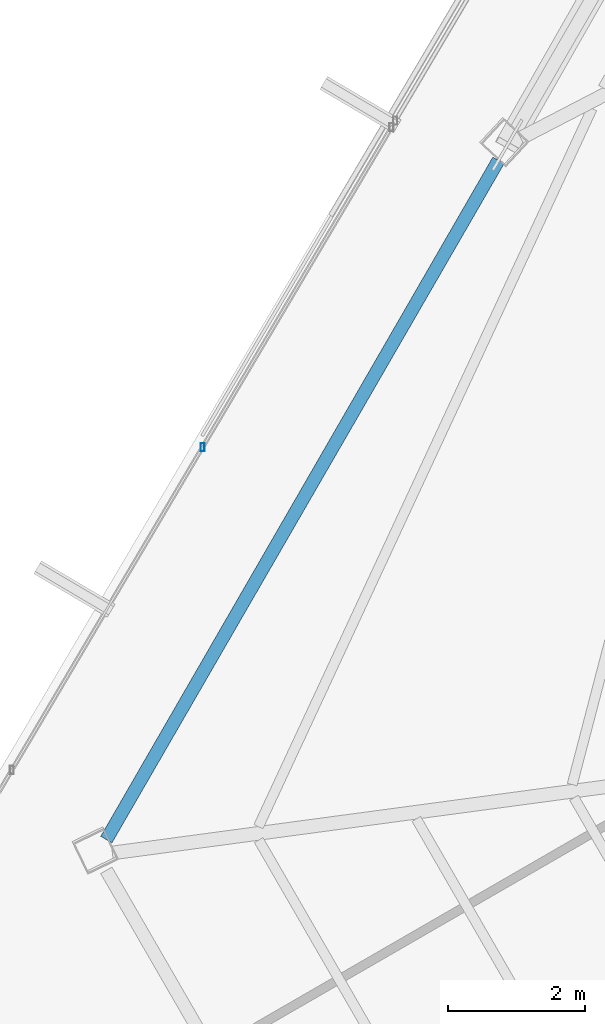
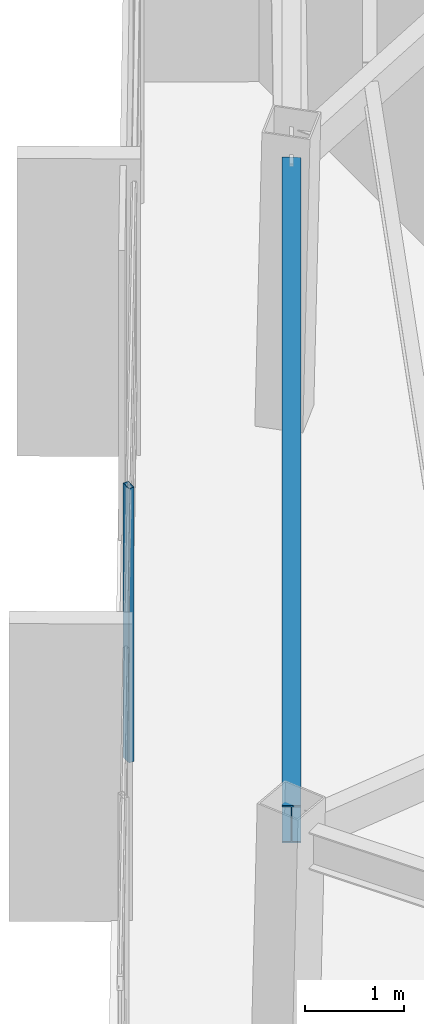
# One storey, part 9 of 45: 1 beam, 1 member, 1 element without a shape of its own.
"""IFC4 building model written with IfcOpenShell, lengths in metres."""

import ifcopenshell
import ifcopenshell.guid

model = None  # the IFC model being written
_history = None  # IfcOwnerHistory: only IFC2X3 demands one
_inside = {}  # id of a spatial element -> (the spatial element, [elements in it])
_under = {}  # id of a project, library or spatial element -> (it, [spatial elements below it])
_declared = {}  # id of a project -> (the project, [libraries it declares])
_typed = {}  # id of a type object -> (the type object, [elements of that type])
_made_of = {}  # id of a material, layer set ... -> (it, [elements and type objects made of it])


def new_model(schema):
    """Start an empty IFC model of exactly this schema.

    Asked for "IFC4X3", IfcOpenShell would pick the latest addendum, in which some entities
    have other attributes; the version numbers below select the first issue.
    IFC2X3 requires an IfcOwnerHistory on every rooted entity: one is made here for all.
    """
    global model, _history
    if schema == "IFC4X3":
        model = ifcopenshell.file(schema_version=(4, 3, 0, 0))
    else:
        model = ifcopenshell.file(schema=schema)
    _inside.clear()
    _under.clear()
    _declared.clear()
    _typed.clear()
    _made_of.clear()
    _history = None
    if model.schema == "IFC2X3":
        org = make("IfcOrganization", Name="unknown")
        user = make(
            "IfcPersonAndOrganization",
            ThePerson=make("IfcPerson", FamilyName="unknown"),
            TheOrganization=org,
        )
        app = make(
            "IfcApplication",
            ApplicationDeveloper=org,
            Version="unknown",
            ApplicationFullName="unknown",
            ApplicationIdentifier="unknown",
        )
        _history = make(
            "IfcOwnerHistory",
            OwningUser=user,
            OwningApplication=app,
            ChangeAction="ADDED",
            CreationDate=0,
        )
    return model


def make(cls, **values):
    """One entity of the class cls with the attributes given. An attribute that is None is left unset."""
    return model.create_entity(
        cls, **{name: value for name, value in values.items() if value is not None}
    )


def rooted(cls, **values):
    """An entity with a GlobalId (a new one), such as an element, a storey or a relation."""
    return make(cls, GlobalId=ifcopenshell.guid.new(), OwnerHistory=_history, **values)


def si_unit(unit_type, name, prefix=None):
    """IfcSIUnit, for example si_unit("LENGTHUNIT", "METRE", prefix="MILLI")."""
    return make("IfcSIUnit", UnitType=unit_type, Prefix=prefix, Name=name)


def assignment(units):
    """IfcUnitAssignment: the units of a project."""
    return None if units is None else make("IfcUnitAssignment", Units=units)


def point(xyz):
    """IfcCartesianPoint."""
    return None if xyz is None else make("IfcCartesianPoint", Coordinates=xyz)


def direction(xyz):
    """IfcDirection."""
    return None if xyz is None else make("IfcDirection", DirectionRatios=xyz)


def frame(location, z_axis=None, x_axis=None):
    """IfcAxis2Placement3D, a coordinate frame: its origin and axes. An axis left out is left unset."""
    return make(
        "IfcAxis2Placement3D",
        Location=point(location),
        Axis=direction(z_axis),
        RefDirection=direction(x_axis),
    )


def frame_2d(location, x_axis=None):
    """IfcAxis2Placement2D, a coordinate frame in the plane: its origin and x axis."""
    return make(
        "IfcAxis2Placement2D", Location=point(location), RefDirection=direction(x_axis)
    )


def origin():
    """The frame at (0, 0, 0) with its axes left unset."""
    return frame((0.0, 0.0, 0.0))


def origin_2d():
    """The frame at (0, 0) in the plane with its x axis left unset."""
    return frame_2d((0.0, 0.0))


def place(relative_to, where):
    """IfcLocalPlacement: puts the frame where relative to a parent placement (None: the world)."""
    return make(
        "IfcLocalPlacement", PlacementRelTo=relative_to, RelativePlacement=where
    )


def context(
    kind, dimensions, precision=None, world=None, true_north=None, identifier=None
):
    """IfcGeometricRepresentationContext, for example the 3D "Model" context."""
    return make(
        "IfcGeometricRepresentationContext",
        ContextIdentifier=identifier,
        ContextType=kind,
        CoordinateSpaceDimension=dimensions,
        Precision=precision,
        WorldCoordinateSystem=world,
        TrueNorth=true_north,
    )


def subcontext(parent, identifier, kind, view, scale=None):
    """IfcGeometricRepresentationSubContext, for example "Body" below "Model"."""
    return make(
        "IfcGeometricRepresentationSubContext",
        ContextIdentifier=identifier,
        ContextType=kind,
        ParentContext=parent,
        TargetScale=scale,
        TargetView=view,
    )


def project(units=None, contexts=None):
    """IfcProject with its units and contexts."""
    return rooted(
        "IfcProject",
        Name="project",
        RepresentationContexts=contexts,
        UnitsInContext=assignment(units),
    )


def spatial(cls, under=None, at=None, **own):
    """A site, building, storey or space (cls), placed at a placement, below another one or the project."""
    s = rooted(cls, ObjectPlacement=at, **own)
    if under is not None:
        _under.setdefault(under.id(), (under, []))[1].append(s)
    return s


def profile(cls, at=None, kind="AREA", **sizes):
    """A parametric profile (cls). Its sizes go by their IFC names, for example OverallWidth=200.0."""
    return make(cls, ProfileType=kind, Position=at, **sizes)


def hollow_rectangle(**sizes):
    """IfcRectangleHollowProfileDef."""
    return profile("IfcRectangleHollowProfileDef", **sizes)


def i_section(**sizes):
    """IfcIShapeProfileDef."""
    return profile("IfcIShapeProfileDef", **sizes)


def extrude(swept, where, along, depth):
    """IfcExtrudedAreaSolid: the profile swept, set in the frame where, extruded along a direction by depth."""
    return make(
        "IfcExtrudedAreaSolid",
        SweptArea=swept,
        Position=where,
        ExtrudedDirection=direction(along),
        Depth=depth,
    )


def shape(context_of_items, identifier, shape_type, items):
    """IfcShapeRepresentation: the items that make up one representation, for example the "Body"."""
    return make(
        "IfcShapeRepresentation",
        ContextOfItems=context_of_items,
        RepresentationIdentifier=identifier,
        RepresentationType=shape_type,
        Items=items,
    )


def source(mapping_origin, context_of_items, identifier, shape_type, items):
    """IfcRepresentationMap: a shape defined once, which mapped items show again and again."""
    return make(
        "IfcRepresentationMap",
        MappingOrigin=mapping_origin,
        MappedRepresentation=shape(context_of_items, identifier, shape_type, items),
    )


def transform(
    local_origin,
    x_axis=None,
    y_axis=None,
    z_axis=None,
    scale=None,
    scale2=None,
    scale3=None,
    uniform=True,
):
    """IfcCartesianTransformationOperator3D, or its non-uniform kind. x_axis, y_axis, z_axis: its Axis1, 2, 3."""
    if uniform:
        return make(
            "IfcCartesianTransformationOperator3D",
            Axis1=direction(x_axis),
            Axis2=direction(y_axis),
            LocalOrigin=point(local_origin),
            Scale=scale,
            Axis3=direction(z_axis),
        )
    return make(
        "IfcCartesianTransformationOperator3DnonUniform",
        Axis1=direction(x_axis),
        Axis2=direction(y_axis),
        LocalOrigin=point(local_origin),
        Scale=scale,
        Axis3=direction(z_axis),
        Scale2=scale2,
        Scale3=scale3,
    )


def mapped(mapping_source, mapping_target):
    """IfcMappedItem: shows the shape of a source again, moved by a transform."""
    return make(
        "IfcMappedItem", MappingSource=mapping_source, MappingTarget=mapping_target
    )


def material(Name=None, Category=None):
    """IfcMaterial."""
    return make("IfcMaterial", Name=Name, Category=Category)


def material_profile(
    of_material, cross_section, Name=None, Category=None, Priority=None
):
    """IfcMaterialProfile: a cross section and its material."""
    return make(
        "IfcMaterialProfile",
        Name=Name,
        Material=of_material,
        Profile=cross_section,
        Priority=Priority,
        Category=Category,
    )


def profile_set(profiles, Name=None, composite=None):
    """IfcMaterialProfileSet."""
    return make(
        "IfcMaterialProfileSet",
        Name=Name,
        MaterialProfiles=profiles,
        CompositeProfile=composite,
    )


def made_of(thing, what):
    """Note that an element or type object is made of a material, layer set ...; save() writes the relation."""
    if what is not None:
        _made_of.setdefault(what.id(), (what, []))[1].append(thing)
    return thing


def type_object(cls, material=None, **own):
    """A type object (cls), such as IfcWallType, which elements share."""
    return made_of(rooted(cls, **own), material)


def type_shapes(of_type, sources):
    """Give a type object the sources (RepresentationMaps) that its elements show as mapped items."""
    of_type.RepresentationMaps = sources


def element(
    cls,
    number,
    at=None,
    inside=None,
    cuts=None,
    type_object=None,
    material=None,
    context=None,
    identifier="Body",
    shape_type=None,
    held_by="IfcProductDefinitionShape",
    body=None,
    shapes=None,
    **own,
):
    """One element of the class cls, such as IfcWall. Its Tag is "e" and its number.

    at: its placement. inside: the storey or other place that contains it. cuts: it is an
    opening in that element (IfcRelVoidsElement). A single representation is given by context,
    identifier, shape_type and body (its items); several are given by shapes. held_by: the class
    of the entity that holds the representations. save() writes the other relations.
    """
    e = rooted(cls, Tag="e%d" % number, ObjectPlacement=at, **own)
    if body is not None:
        shapes = [shape(context, identifier, shape_type, body)]
    if shapes is not None:
        e.Representation = make(held_by, Representations=shapes)
    if inside is not None:
        _inside.setdefault(inside.id(), (inside, []))[1].append(e)
    if cuts is not None:
        rooted(
            "IfcRelVoidsElement", RelatingBuildingElement=cuts, RelatedOpeningElement=e
        )
    if type_object is not None:
        _typed.setdefault(type_object.id(), (type_object, []))[1].append(e)
    return made_of(e, material)


def aggregate(whole, parts):
    """IfcRelAggregates: a whole, such as a stair, and the parts it consists of."""
    return rooted("IfcRelAggregates", RelatingObject=whole, RelatedObjects=parts)


def save(model, path):
    """Write the relations noted so far, then the file.

    IfcRelAggregates (storeys below a building ...), IfcRelContainedInSpatialStructure (elements
    in a storey), IfcRelDefinesByType, IfcRelAssociatesMaterial and IfcRelDeclares: one each for
    every whole, place, type object, material and project.
    """
    for whole, parts in _under.values():
        aggregate(whole, parts)
    for where, things in _inside.values():
        rooted(
            "IfcRelContainedInSpatialStructure",
            RelatedElements=things,
            RelatingStructure=where,
        )
    for kind, things in _typed.values():
        rooted("IfcRelDefinesByType", RelatedObjects=things, RelatingType=kind)
    for what, things in _made_of.values():
        rooted("IfcRelAssociatesMaterial", RelatedObjects=things, RelatingMaterial=what)
    for by, libraries in _declared.values():
        rooted("IfcRelDeclares", RelatingContext=by, RelatedDefinitions=libraries)
    model.write(path)


model = new_model("IFC4")

# Units and contexts
model_context = context("Model", 3, precision=1e-05, world=origin(), true_north=direction((0.0, 1.0)))
body_context = subcontext(model_context, "Body", "Model", "MODEL_VIEW")
ifc_project = project(units=[si_unit("LENGTHUNIT", "METRE"), si_unit("AREAUNIT", "SQUARE_METRE"), si_unit("VOLUMEUNIT", "CUBIC_METRE"), si_unit("PLANEANGLEUNIT", "RADIAN"), si_unit("MASSUNIT", "GRAM", prefix="KILO")], contexts=[model_context])

# Site, building, storey
site_placement = place(None, origin())
site = spatial("IfcSite", under=ifc_project, at=site_placement, CompositionType="ELEMENT")
building_placement = place(site_placement, origin())
building = spatial("IfcBuilding", under=site, at=building_placement, Name="Caelisora Broadcast Tower", CompositionType="ELEMENT")
storey_placement = place(building_placement, frame((0.0, 0.0, 273.64990234375)))
storey = spatial("IfcBuildingStorey", under=building, at=storey_placement, Name="L72", CompositionType="ELEMENT", Elevation=273.64990234375)

# Beam
ifc_material_1 = material(Name="Steel Grade 350 (AS/NZS 3679.1)", Category="steel")
ifc_material_profile_1 = material_profile(ifc_material_1, i_section(OverallWidth=0.19091796875, OverallDepth=0.46044921875, WebThickness=0.010009765625, FlangeThickness=0.01611328125, at=origin_2d()), Name="Steel Grade 350 (AS/NZS 3679.1)")
ifc_profile_set_1 = profile_set([ifc_material_profile_1], Name="Steel Grade 350 (AS/NZS 3679.1)")
beam_type = type_object("IfcBeamType", Name="PG06", PredefinedType="BEAM", material=ifc_profile_set_1)
shared_shape_1 = source(origin(), body_context, "Body", "SweptSolid", [
    extrude(i_section(OverallWidth=0.19091796875, OverallDepth=0.46044921875, WebThickness=0.010009765625, FlangeThickness=0.01611328125, at=origin_2d()), origin(), (0.0, 0.0, 1.0), 11.476806640625),
])
type_shapes(beam_type, [shared_shape_1])
beam_placement = place(storey_placement, frame((22.5263671875, 25.70703125, 3.169921875), z_axis=(-0.500007868499, -0.866020860857, 0.0), x_axis=(0.866020860857, -0.500007868499, 0.0)))
element("IfcBeam", 1, at=beam_placement, inside=storey, type_object=beam_type, Name="L72 beam PG06", PredefinedType="BEAM", context=body_context, shape_type="MappedRepresentation", body=[
    mapped(shared_shape_1, transform((0.0, 0.0, 0.0), scale=1.0)),
])

# Curtain wall, member
ifc_material_2 = material(Name="Unitised Aluminium and Low-E Glass Curtain Wall", Category="glass")
curtain_wall_type = type_object("IfcCurtainWallType", Name="CW-Z5", PredefinedType="NOTDEFINED", material=ifc_material_2)
curtain_wall_placement = place(storey_placement, origin())
curtain_wall = element("IfcCurtainWall", 2, at=curtain_wall_placement, inside=storey, type_object=curtain_wall_type, Name="L72 curtain wall CW-Z5", PredefinedType="NOTDEFINED")
ifc_material_3 = material(Name="Aluminium 6063-T6 Anodised Terracotta Bronze", Category="aluminium")
ifc_material_profile_2 = material_profile(ifc_material_3, hollow_rectangle(XDim=0.06005859375, YDim=0.1201171875, WallThickness=0.0029296875, at=origin_2d()), Name="Aluminium 6063-T6 Anodised Terracotta Bronze")
ifc_profile_set_2 = profile_set([ifc_material_profile_2], Name="Aluminium 6063-T6 Anodised Terracotta Bronze")
member_type = type_object("IfcMemberType", Name="CWM-04", PredefinedType="MULLION", material=ifc_profile_set_2)
shared_shape_2 = source(origin(), body_context, "Body", "SweptSolid", [
    extrude(hollow_rectangle(XDim=0.06005859375, YDim=0.1201171875, WallThickness=0.0029296875, at=origin_2d()), origin(), (0.0, 0.0, 1.0), 3.400146484375),
])
type_shapes(member_type, [shared_shape_2])
member_placement = place(storey_placement, frame((18.196044921875, 21.510009765625, 0.0), z_axis=(0.0, 0.0, 1.0), x_axis=(1.0, 0.0, 0.0)))
member = element("IfcMember", 3, at=member_placement, type_object=member_type, Name="L72-CW-B09 mullion #2", PredefinedType="MULLION", context=body_context, shape_type="MappedRepresentation", body=[
    mapped(shared_shape_2, transform((0.0, 0.0, 0.0), scale=1.0)),
])
aggregate(curtain_wall, [member])

save(model, "model.ifc")
